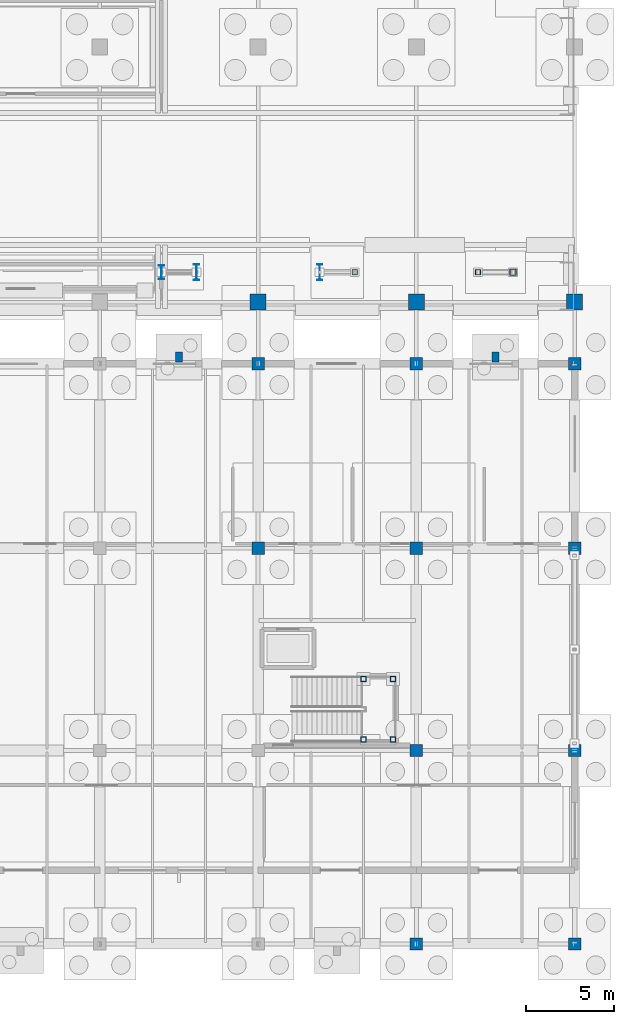
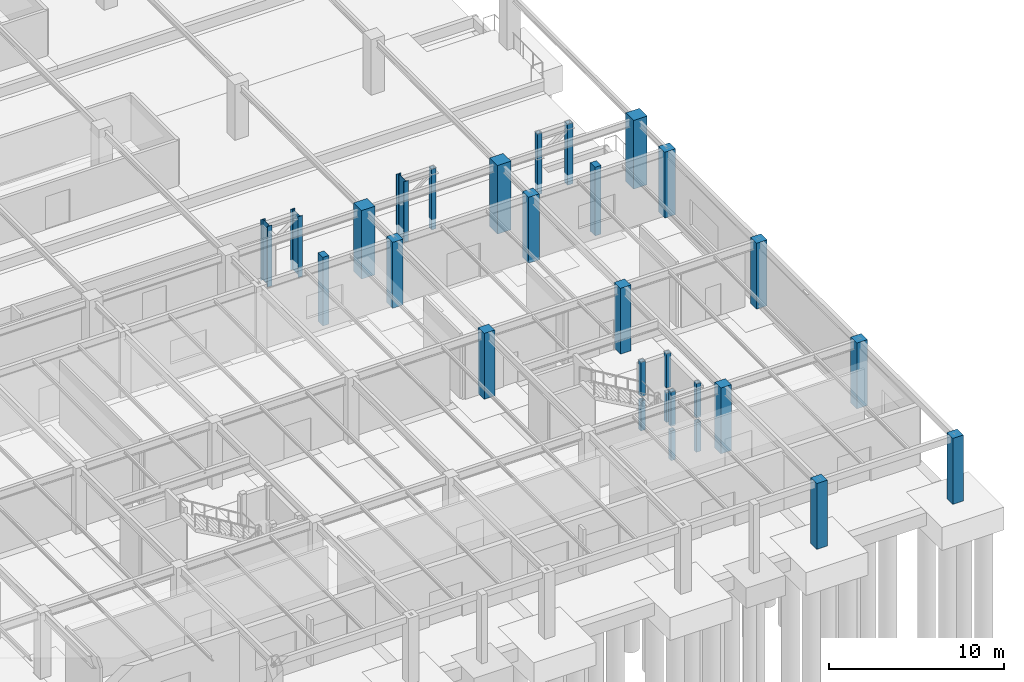
# One storey, part 30 of 160: 29 columns.
"""IFC4 building model written with IfcOpenShell, lengths in metres."""

from ifc_helpers import new_model, si_unit, direction, frame, origin, origin_2d, place, context, subcontext, project, spatial, rectangle, hollow_rectangle, i_section, extrude, material, material_profile, profile_set, type_object, element, save


model = new_model("IFC4")

# Units and contexts
model_context = context("Model", 3, precision=1e-05, world=origin(), true_north=direction((0.0, 1.0)))
body_context = subcontext(model_context, "Body", "Model", "MODEL_VIEW")
ifc_project = project(units=[si_unit("LENGTHUNIT", "METRE"), si_unit("AREAUNIT", "SQUARE_METRE"), si_unit("VOLUMEUNIT", "CUBIC_METRE"), si_unit("PLANEANGLEUNIT", "RADIAN"), si_unit("MASSUNIT", "GRAM", prefix="KILO")], contexts=[model_context])

# Site, building, storey
site_placement = place(None, origin())
site = spatial("IfcSite", under=ifc_project, at=site_placement, CompositionType="ELEMENT")
building_placement = place(site_placement, origin())
building = spatial("IfcBuilding", under=site, at=building_placement, Name="Marlcrest Central Station", CompositionType="ELEMENT")
storey_placement = place(building_placement, origin())
storey = spatial("IfcBuildingStorey", under=building, at=storey_placement, Name="L00", CompositionType="ELEMENT", Elevation=0.0)

# Columns
ifc_material_1 = material(Name="Precast concrete C40/50", Category="concrete")
ifc_material_profile_1 = material_profile(ifc_material_1, rectangle(XDim=0.39990234375, YDim=0.550048828125, at=origin_2d()), Name="PIL 400x550")
ifc_profile_set_1 = profile_set([ifc_material_profile_1], Name="Precast concrete C40/50")
column_type_1 = type_object("IfcColumnType", Name="PL-02", PredefinedType="PILASTER", material=ifc_profile_set_1)
for number, where, z_axis, x_axis, name in (
    (1, (193.5, 33.3798828125, 0.0), (0.0, 0.0, 1.0), (1.0, 0.0, 0.0), "col-PL-02-L00-0293"),
    (2, (211.5, 33.3798828125, 0.0), (0.0, 0.0, 1.0), (1.0, 0.0, 0.0), "col-PL-02-L00-0295"),
):
    element("IfcColumn", number, at=place(storey_placement, frame(where, z_axis=z_axis, x_axis=x_axis)), inside=storey, type_object=column_type_1, Name=name, PredefinedType="PILASTER", context=body_context, shape_type="SweptSolid", body=[
        extrude(rectangle(XDim=0.39990234375, YDim=0.550048828125, at=origin_2d()), origin(), (0.0, 0.0, 1.0), 4.800048828125),
    ])
ifc_material_2 = material(Name="Concrete C50/60", Category="concrete")
ifc_material_profile_2 = material_profile(ifc_material_2, rectangle(XDim=0.699951171875, YDim=0.699951171875, at=origin_2d()), Name="RC 700x700")
ifc_profile_set_2 = profile_set([ifc_material_profile_2], Name="Concrete C50/60")
column_type_2 = type_object("IfcColumnType", Name="RC-06", PredefinedType="COLUMN", material=ifc_profile_set_2)
for number, where, z_axis, x_axis, name in (
    (3, (198.0, 22.5, 0.0), (0.0, 0.0, 1.0), (1.0, 0.0, 0.0), "col-RC-06-L00-0279"),
    (4, (198.0, 33.0, 0.0), (0.0, 0.0, 1.0), (1.0, 0.0, 0.0), "col-RC-06-L00-0280"),
    (5, (207.0, 0.0, 0.0), (0.0, 0.0, 1.0), (1.0, 0.0, 0.0), "col-RC-06-L00-0281"),
    (6, (207.0, 11.0, 0.0), (0.0, 0.0, 1.0), (1.0, 0.0, 0.0), "col-RC-06-L00-0282"),
    (7, (207.0, 22.5, 0.0), (0.0, 0.0, 1.0), (1.0, 0.0, 0.0), "col-RC-06-L00-0283"),
    (8, (207.0, 33.0, 0.0), (0.0, 0.0, 1.0), (1.0, 0.0, 0.0), "col-RC-06-L00-0284"),
    (9, (216.0, 0.0, 0.0), (0.0, 0.0, 1.0), (1.0, 0.0, 0.0), "col-RC-06-L00-0285"),
    (10, (216.0, 11.0, 0.0), (0.0, 0.0, 1.0), (1.0, 0.0, 0.0), "col-RC-06-L00-0286"),
    (11, (216.0, 22.5, 0.0), (0.0, 0.0, 1.0), (1.0, 0.0, 0.0), "col-RC-06-L00-0287"),
    (12, (216.0, 33.0, 0.0), (0.0, 0.0, 1.0), (1.0, 0.0, 0.0), "col-RC-06-L00-0288"),
):
    element("IfcColumn", number, at=place(storey_placement, frame(where, z_axis=z_axis, x_axis=x_axis)), inside=storey, type_object=column_type_2, Name=name, PredefinedType="COLUMN", context=body_context, shape_type="SweptSolid", body=[
        extrude(rectangle(XDim=0.699951171875, YDim=0.699951171875, at=origin_2d()), origin(), (0.0, 0.0, 1.0), 4.60498046875),
    ])
ifc_material_profile_3 = material_profile(ifc_material_2, rectangle(XDim=0.89990234375, YDim=0.89990234375, at=origin_2d()), Name="RC 900x900")
ifc_profile_set_3 = profile_set([ifc_material_profile_3], Name="Concrete C50/60")
column_type_3 = type_object("IfcColumnType", Name="RC-08", PredefinedType="COLUMN", material=ifc_profile_set_3)
for number, where, z_axis, x_axis, name in (
    (13, (198.0, 36.5, 0.0), (0.0, 0.0, 1.0), (1.0, 0.0, 0.0), "col-RC-08-L00-0578"),
    (14, (207.0, 36.5, 0.0), (0.0, 0.0, 1.0), (1.0, 0.0, 0.0), "col-RC-08-L00-0589"),
    (15, (216.0, 36.5, 0.0), (0.0, 0.0, 1.0), (1.0, 0.0, 0.0), "col-RC-08-L00-0600"),
):
    element("IfcColumn", number, at=place(storey_placement, frame(where, z_axis=z_axis, x_axis=x_axis)), inside=storey, type_object=column_type_3, Name=name, PredefinedType="COLUMN", context=body_context, shape_type="SweptSolid", body=[
        extrude(rectangle(XDim=0.89990234375, YDim=0.89990234375, at=origin_2d()), origin(), (0.0, 0.0, 1.0), 4.800048828125),
    ])
ifc_material_3 = material(Name="Steel S355", Category="steel")
ifc_material_profile_4 = material_profile(ifc_material_3, i_section(OverallWidth=0.300048828125, OverallDepth=0.7900390625, WebThickness=0.014892578125, FlangeThickness=0.028076171875, FilletRadius=0.030029296875, at=origin_2d()), Name="HEA 800")
ifc_profile_set_4 = profile_set([ifc_material_profile_4], Name="Steel S355")
column_type_4 = type_object("IfcColumnType", Name="SC-17", PredefinedType="COLUMN", material=ifc_profile_set_4)
column_1_placement = place(storey_placement, frame((192.5, 38.199951171875, 0.199951171875), z_axis=(0.0, 0.0, 1.0), x_axis=(1.0, 0.0, 0.0)))
element("IfcColumn", 16, at=column_1_placement, inside=storey, type_object=column_type_4, Name="col-SC-17-L00-0925", PredefinedType="COLUMN", context=body_context, shape_type="SweptSolid", body=[
    extrude(i_section(OverallWidth=0.300048828125, OverallDepth=0.7900390625, WebThickness=0.014892578125, FlangeThickness=0.028076171875, FilletRadius=0.030029296875, at=origin_2d()), origin(), (0.0, 0.0, 1.0), 4.25),
])
ifc_material_profile_5 = material_profile(ifc_material_3, i_section(OverallWidth=0.300048828125, OverallDepth=0.889892578125, WebThickness=0.01611328125, FlangeThickness=0.030029296875, FilletRadius=0.030029296875, at=origin_2d()), Name="HEA 900")
ifc_profile_set_5 = profile_set([ifc_material_profile_5], Name="Steel S355")
column_type_5 = type_object("IfcColumnType", Name="SC-18", PredefinedType="COLUMN", material=ifc_profile_set_5)
for number, where, z_axis, x_axis, name in (
    (17, (194.5, 38.199951171875, 0.199951171875), (0.0, 0.0, 1.0), (1.0, 0.0, 0.0), "col-SC-18-L00-0926"),
    (18, (201.5, 38.199951171875, 0.199951171875), (0.0, 0.0, 1.0), (1.0, 0.0, 0.0), "col-SC-18-L00-0929"),
):
    element("IfcColumn", number, at=place(storey_placement, frame(where, z_axis=z_axis, x_axis=x_axis)), inside=storey, type_object=column_type_5, Name=name, PredefinedType="COLUMN", context=body_context, shape_type="SweptSolid", body=[
        extrude(i_section(OverallWidth=0.300048828125, OverallDepth=0.889892578125, WebThickness=0.01611328125, FlangeThickness=0.030029296875, FilletRadius=0.030029296875, at=origin_2d()), origin(), (0.0, 0.0, 1.0), 4.25),
    ])
ifc_material_profile_6 = material_profile(ifc_material_3, hollow_rectangle(XDim=0.300048828125, YDim=0.300048828125, WallThickness=0.01611328125, at=origin_2d()), Name="SHS 300x300x16")
ifc_profile_set_6 = profile_set([ifc_material_profile_6], Name="Steel S355")
column_type_6 = type_object("IfcColumnType", Name="SC-19", PredefinedType="COLUMN", material=ifc_profile_set_6)
for number, where, z_axis, x_axis, name in (
    (19, (203.5, 38.199951171875, 0.199951171875), (0.0, 0.0, 1.0), (1.0, 0.0, 0.0), "col-SC-19-L00-0930"),
    (20, (210.5, 38.199951171875, 0.199951171875), (0.0, 0.0, 1.0), (1.0, 0.0, 0.0), "col-SC-19-L00-0933"),
):
    element("IfcColumn", number, at=place(storey_placement, frame(where, z_axis=z_axis, x_axis=x_axis)), inside=storey, type_object=column_type_6, Name=name, PredefinedType="COLUMN", context=body_context, shape_type="SweptSolid", body=[
        extrude(hollow_rectangle(XDim=0.300048828125, YDim=0.300048828125, WallThickness=0.01611328125, at=origin_2d()), origin(), (0.0, 0.0, 1.0), 4.25),
    ])
column_2_placement = place(storey_placement, frame((203.989990234375, 11.6298828125, 0.0), z_axis=(0.0, 0.0, 1.0), x_axis=(1.0, 0.0, 0.0)))
element("IfcColumn", 21, at=column_2_placement, inside=storey, type_object=column_type_6, Name="htcol-lo-0038-0", PredefinedType="COLUMN", context=body_context, shape_type="SweptSolid", body=[
    extrude(hollow_rectangle(XDim=0.300048828125, YDim=0.300048828125, WallThickness=0.01611328125, at=origin_2d()), origin(), (0.0, 0.0, 1.0), 2.080078125),
])
column_3_placement = place(storey_placement, frame((203.989990234375, 11.6298828125, 2.39990234375), z_axis=(0.0, 0.0, 1.0), x_axis=(1.0, 0.0, 0.0)))
element("IfcColumn", 22, at=column_3_placement, inside=storey, type_object=column_type_6, Name="htcol-hi-0038-0", PredefinedType="COLUMN", context=body_context, shape_type="SweptSolid", body=[
    extrude(hollow_rectangle(XDim=0.300048828125, YDim=0.300048828125, WallThickness=0.01611328125, at=origin_2d()), origin(), (0.0, 0.0, 1.0), 2.400146484375),
])
column_4_placement = place(storey_placement, frame((205.669921875, 11.6298828125, 0.0), z_axis=(0.0, 0.0, 1.0), x_axis=(1.0, 0.0, 0.0)))
element("IfcColumn", 23, at=column_4_placement, inside=storey, type_object=column_type_6, Name="htcol-lo-0038-1", PredefinedType="COLUMN", context=body_context, shape_type="SweptSolid", body=[
    extrude(hollow_rectangle(XDim=0.300048828125, YDim=0.300048828125, WallThickness=0.01611328125, at=origin_2d()), origin(), (0.0, 0.0, 1.0), 2.080078125),
])
column_5_placement = place(storey_placement, frame((205.669921875, 11.6298828125, 2.39990234375), z_axis=(0.0, 0.0, 1.0), x_axis=(1.0, 0.0, 0.0)))
element("IfcColumn", 24, at=column_5_placement, inside=storey, type_object=column_type_6, Name="htcol-hi-0038-1", PredefinedType="COLUMN", context=body_context, shape_type="SweptSolid", body=[
    extrude(hollow_rectangle(XDim=0.300048828125, YDim=0.300048828125, WallThickness=0.01611328125, at=origin_2d()), origin(), (0.0, 0.0, 1.0), 2.400146484375),
])
column_6_placement = place(storey_placement, frame((205.669921875, 15.070068359375, 0.0), z_axis=(0.0, 0.0, 1.0), x_axis=(1.0, 0.0, 0.0)))
element("IfcColumn", 25, at=column_6_placement, inside=storey, type_object=column_type_6, Name="htcol-lo-0038-2", PredefinedType="COLUMN", context=body_context, shape_type="SweptSolid", body=[
    extrude(hollow_rectangle(XDim=0.300048828125, YDim=0.300048828125, WallThickness=0.01611328125, at=origin_2d()), origin(), (0.0, 0.0, 1.0), 2.080078125),
])
column_7_placement = place(storey_placement, frame((205.669921875, 15.070068359375, 2.39990234375), z_axis=(0.0, 0.0, 1.0), x_axis=(1.0, 0.0, 0.0)))
element("IfcColumn", 26, at=column_7_placement, inside=storey, type_object=column_type_6, Name="htcol-hi-0038-2", PredefinedType="COLUMN", context=body_context, shape_type="SweptSolid", body=[
    extrude(hollow_rectangle(XDim=0.300048828125, YDim=0.300048828125, WallThickness=0.01611328125, at=origin_2d()), origin(), (0.0, 0.0, 1.0), 2.400146484375),
])
column_8_placement = place(storey_placement, frame((203.989990234375, 15.070068359375, 0.0), z_axis=(0.0, 0.0, 1.0), x_axis=(1.0, 0.0, 0.0)))
element("IfcColumn", 27, at=column_8_placement, inside=storey, type_object=column_type_6, Name="htcol-lo-0038-3", PredefinedType="COLUMN", context=body_context, shape_type="SweptSolid", body=[
    extrude(hollow_rectangle(XDim=0.300048828125, YDim=0.300048828125, WallThickness=0.01611328125, at=origin_2d()), origin(), (0.0, 0.0, 1.0), 2.080078125),
])
column_9_placement = place(storey_placement, frame((203.989990234375, 15.070068359375, 2.39990234375), z_axis=(0.0, 0.0, 1.0), x_axis=(1.0, 0.0, 0.0)))
element("IfcColumn", 28, at=column_9_placement, inside=storey, type_object=column_type_6, Name="htcol-hi-0038-3", PredefinedType="COLUMN", context=body_context, shape_type="SweptSolid", body=[
    extrude(hollow_rectangle(XDim=0.300048828125, YDim=0.300048828125, WallThickness=0.01611328125, at=origin_2d()), origin(), (0.0, 0.0, 1.0), 2.400146484375),
])
ifc_material_profile_7 = material_profile(ifc_material_3, hollow_rectangle(XDim=0.35009765625, YDim=0.35009765625, WallThickness=0.01611328125, at=origin_2d()), Name="SHS 350x350x16")
ifc_profile_set_7 = profile_set([ifc_material_profile_7], Name="Steel S355")
column_type_7 = type_object("IfcColumnType", Name="SC-20", PredefinedType="COLUMN", material=ifc_profile_set_7)
column_10_placement = place(storey_placement, frame((212.5, 38.199951171875, 0.199951171875), z_axis=(0.0, 0.0, 1.0), x_axis=(1.0, 0.0, 0.0)))
element("IfcColumn", 29, at=column_10_placement, inside=storey, type_object=column_type_7, Name="col-SC-20-L00-0934", PredefinedType="COLUMN", context=body_context, shape_type="SweptSolid", body=[
    extrude(hollow_rectangle(XDim=0.35009765625, YDim=0.35009765625, WallThickness=0.01611328125, at=origin_2d()), origin(), (0.0, 0.0, 1.0), 4.25),
])

save(model, "model.ifc")
